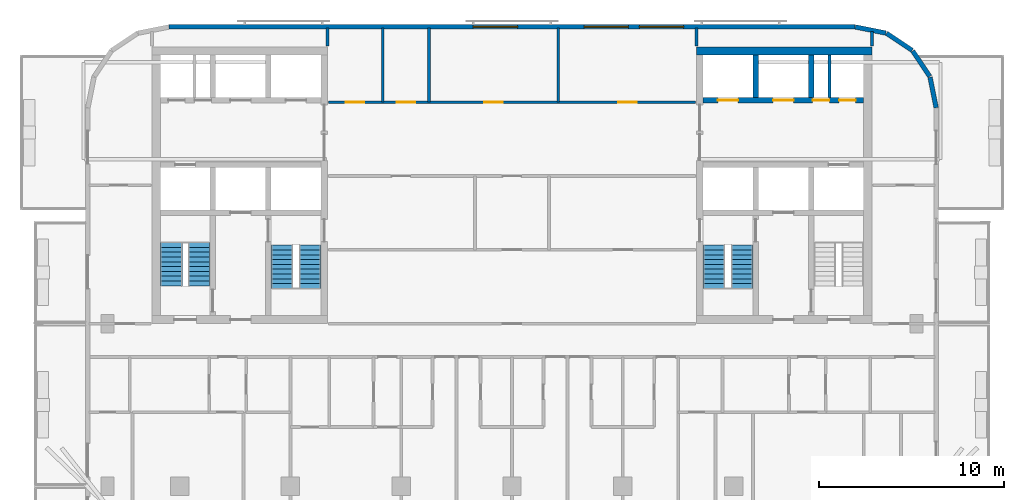
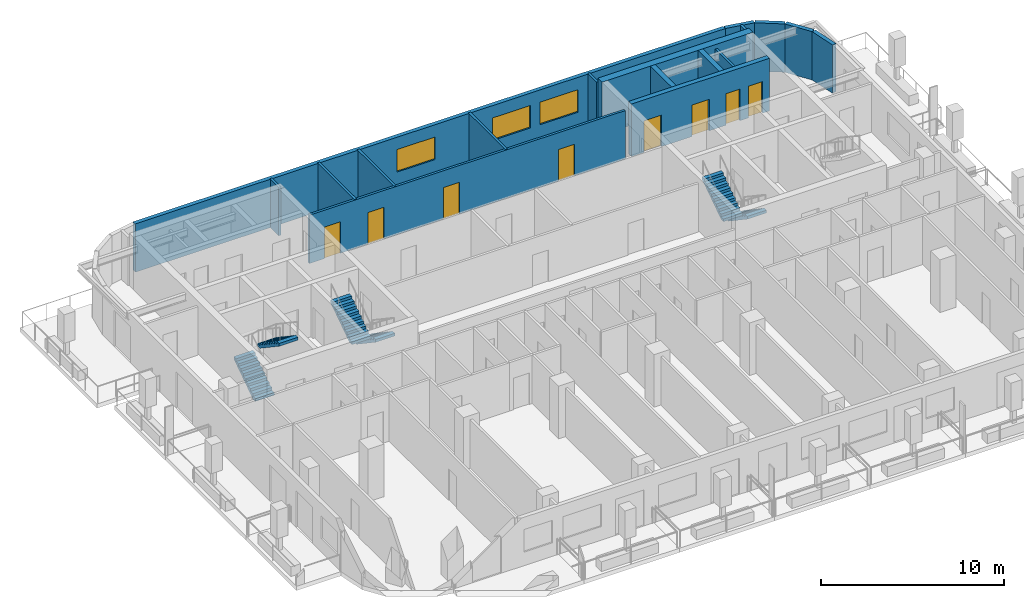
# One storey, part 7 of 11: 17 walls, 8 doors, 6 stair flights, 3 windows, 11 openings, 3 elements without a shape of their own.
"""IFC4 building model written with IfcOpenShell, lengths in metres."""

from ifc_helpers import new_model, si_unit, direction, frame, frame_2d, origin, place, context, subcontext, project, spatial, polyline, rectangle, outline, extrude, material, layer, layer_set, type_object, element, fill, aggregate, save


model = new_model("IFC4")

# Units and contexts
model_context = context("Model", 3, precision=1e-05, world=origin(), true_north=direction((0.0, 1.0)))
body_context = subcontext(model_context, "Body", "Model", "MODEL_VIEW")
ifc_project = project(units=[si_unit("LENGTHUNIT", "METRE"), si_unit("AREAUNIT", "SQUARE_METRE"), si_unit("VOLUMEUNIT", "CUBIC_METRE"), si_unit("PLANEANGLEUNIT", "RADIAN"), si_unit("MASSUNIT", "GRAM", prefix="KILO")], contexts=[model_context])

# Site, building, storey
site_placement = place(None, origin())
site = spatial("IfcSite", under=ifc_project, at=site_placement, CompositionType="ELEMENT")
building_placement = place(site_placement, origin())
building = spatial("IfcBuilding", under=site, at=building_placement, Name="Torana Hotel and Residences", CompositionType="ELEMENT")
storey_placement = place(building_placement, frame((0.0, 0.0, 252.60009765625)))
storey = spatial("IfcBuildingStorey", under=building, at=storey_placement, Name="L66", CompositionType="ELEMENT", Elevation=252.60009765625)

# Wall, openings, doors
ifc_material_1 = material(Name="Concrete C60/75", Category="concrete")
ifc_layer_1 = layer(ifc_material_1, 0.300048828125)
ifc_layer_set_1 = layer_set([ifc_layer_1], Name="CORE WALL 300 C60/75")
wall_type_1 = type_object("IfcWallType", Name="CORE WALL 300 C60/75", PredefinedType="SHEAR", material=ifc_layer_set_1)
wall_1_placement = place(storey_placement, frame((10.35009765625, -2.89990234375, 0.0), z_axis=(0.0, 0.0, 1.0), x_axis=(1.0, 0.0, 0.0)))
wall_1 = element("IfcWall", 1, at=wall_1_placement, inside=storey, type_object=wall_type_1, Name="Core wall E row-N", PredefinedType="SHEAR", context=body_context, shape_type="SweptSolid", body=[
    extrude(rectangle(XDim=8.699951171875, YDim=0.300048828125, at=frame_2d((4.35009765625, 0.0))), origin(), (0.0, 0.0, 1.0), 3.5),
])
opening_1_placement = place(wall_1_placement, frame((0.800048828125, 0.0, 0.0)))
opening_1 = element("IfcOpeningElement", 2, at=opening_1_placement, cuts=wall_1, Name="Opening LD", PredefinedType="OPENING", context=body_context, shape_type="SweptSolid", body=[
    extrude(rectangle(XDim=1.10009765625, YDim=2.10009765625, at=frame_2d((0.550048828125, 1.050048828125))), frame((0.0, 0.159912109375, 0.0), z_axis=(0.0, -1.0, 0.0), x_axis=(1.0, 0.0, 0.0)), (0.0, 0.0, 1.0), 0.320068359375),
])
opening_2_placement = place(wall_1_placement, frame((3.800048828125, 0.0, 0.0)))
opening_2 = element("IfcOpeningElement", 3, at=opening_2_placement, cuts=wall_1, Name="Opening LD", PredefinedType="OPENING", context=body_context, shape_type="SweptSolid", body=[
    extrude(rectangle(XDim=1.10009765625, YDim=2.10009765625, at=frame_2d((0.550048828125, 1.050048828125))), frame((0.0, 0.159912109375, 0.0), z_axis=(0.0, -1.0, 0.0), x_axis=(1.0, 0.0, 0.0)), (0.0, 0.0, 1.0), 0.320068359375),
])
opening_3_placement = place(wall_1_placement, frame((5.9375, 0.0, 0.0)))
opening_3 = element("IfcOpeningElement", 4, at=opening_3_placement, cuts=wall_1, Name="Opening L66-15", PredefinedType="OPENING", context=body_context, shape_type="SweptSolid", body=[
    extrude(rectangle(XDim=0.89990234375, YDim=2.10009765625, at=frame_2d((0.449951171875, 1.050048828125))), frame((0.0, 0.159912109375, 0.0), z_axis=(0.0, -1.0, 0.0), x_axis=(1.0, 0.0, 0.0)), (0.0, 0.0, 1.0), 0.320068359375),
])
opening_4_placement = place(wall_1_placement, frame((7.362548828125, 0.0, 0.0)))
opening_4 = element("IfcOpeningElement", 5, at=opening_4_placement, cuts=wall_1, Name="Opening L66-16", PredefinedType="OPENING", context=body_context, shape_type="SweptSolid", body=[
    extrude(rectangle(XDim=0.89990234375, YDim=2.10009765625, at=frame_2d((0.449951171875, 1.050048828125))), frame((0.0, 0.159912109375, 0.0), z_axis=(0.0, -1.0, 0.0), x_axis=(1.0, 0.0, 0.0)), (0.0, 0.0, 1.0), 0.320068359375),
])
ifc_material_2 = material(Name="Stainless steel 316", Category="steel")
door_type_1 = type_object("IfcDoorType", Name="LIFT LANDING DOOR LD 1100x2100", OperationType="DOUBLE_DOOR_SLIDING", PredefinedType="USERDEFINED", material=ifc_material_2)
door_1_placement = place(opening_1_placement, origin())
door_1 = element("IfcDoor", 6, at=door_1_placement, inside=storey, type_object=door_type_1, Name="Lift landing door H3 L66", ObjectType="LIFT LANDING DOOR", OperationType="DOUBLE_DOOR_SLIDING", OverallHeight=2.10009765625, OverallWidth=1.10009765625, PredefinedType="USERDEFINED", context=body_context, shape_type="SweptSolid", body=[
    extrude(rectangle(XDim=1.10009765625, YDim=2.10009765625, at=frame_2d((0.550048828125, 1.050048828125))), frame((0.0, 0.02490234375, 0.0), z_axis=(0.0, -1.0, 0.0), x_axis=(1.0, 0.0, 0.0)), (0.0, 0.0, 1.0), 0.050048828125),
])
fill(opening_1, door_1)
door_2_placement = place(opening_2_placement, origin())
door_2 = element("IfcDoor", 7, at=door_2_placement, inside=storey, type_object=door_type_1, Name="Lift landing door H4 L66", ObjectType="LIFT LANDING DOOR", OperationType="DOUBLE_DOOR_SLIDING", OverallHeight=2.10009765625, OverallWidth=1.10009765625, PredefinedType="USERDEFINED", context=body_context, shape_type="SweptSolid", body=[
    extrude(rectangle(XDim=1.10009765625, YDim=2.10009765625, at=frame_2d((0.550048828125, 1.050048828125))), frame((0.0, 0.02490234375, 0.0), z_axis=(0.0, -1.0, 0.0), x_axis=(1.0, 0.0, 0.0)), (0.0, 0.0, 1.0), 0.050048828125),
])
fill(opening_2, door_2)
ifc_material_3 = material(Name="Steel S235", Category="steel")
door_type_2 = type_object("IfcDoorType", Name="RISER ACCESS DOOR D5 900x2100", OperationType="SINGLE_SWING_LEFT", PredefinedType="DOOR", material=ifc_material_3)
door_3_placement = place(opening_3_placement, origin())
door_3 = element("IfcDoor", 8, at=door_3_placement, inside=storey, type_object=door_type_2, Name="N2A door L66", OperationType="SINGLE_SWING_RIGHT", OverallHeight=2.10009765625, OverallWidth=0.89990234375, PredefinedType="DOOR", context=body_context, shape_type="SweptSolid", body=[
    extrude(rectangle(XDim=0.89990234375, YDim=2.10009765625, at=frame_2d((0.449951171875, 1.050048828125))), frame((0.0, 0.02490234375, 0.0), z_axis=(0.0, -1.0, 0.0), x_axis=(1.0, 0.0, 0.0)), (0.0, 0.0, 1.0), 0.050048828125),
])
fill(opening_3, door_3)
door_4_placement = place(opening_4_placement, origin())
door_4 = element("IfcDoor", 9, at=door_4_placement, inside=storey, type_object=door_type_2, Name="N2B door L66", OperationType="SINGLE_SWING_RIGHT", OverallHeight=2.10009765625, OverallWidth=0.89990234375, PredefinedType="DOOR", context=body_context, shape_type="SweptSolid", body=[
    extrude(rectangle(XDim=0.89990234375, YDim=2.10009765625, at=frame_2d((0.449951171875, 1.050048828125))), frame((0.0, 0.02490234375, 0.0), z_axis=(0.0, -1.0, 0.0), x_axis=(1.0, 0.0, 0.0)), (0.0, 0.0, 1.0), 0.050048828125),
])
fill(opening_4, door_4)

# Walls
for number, where, z_axis, x_axis, name in (
    (10, (13.199951171875, -2.75, 0.0), (0.0, 0.0, 1.0), (0.0, 1.0, 0.0), "Core wall E x3.05-N"),
    (11, (16.199951171875, -2.75, 0.0), (0.0, 0.0, 1.0), (0.0, 1.0, 0.0), "Core wall E x6.05-N"),
):
    element("IfcWall", number, at=place(storey_placement, frame(where, z_axis=z_axis, x_axis=x_axis)), inside=storey, type_object=wall_type_1, Name=name, PredefinedType="SHEAR", context=body_context, shape_type="SweptSolid", body=[
        extrude(rectangle(XDim=2.300048828125, YDim=0.300048828125, at=frame_2d((1.14990234375, 0.0))), origin(), (0.0, 0.0, 1.0), 3.5),
    ])
ifc_material_4 = material(Name="Concrete C60/75", Category="concrete")
ifc_layer_2 = layer(ifc_material_4, 0.449951171875)
ifc_layer_set_2 = layer_set([ifc_layer_2], Name="CORE WALL 450 C60/75")
wall_type_2 = type_object("IfcWallType", Name="CORE WALL 450 C60/75", PredefinedType="SHEAR", material=ifc_layer_set_2)
wall_2_placement = place(storey_placement, frame((10.0, -0.22509765625, 0.0), z_axis=(0.0, 0.0, 1.0), x_axis=(1.0, 0.0, 0.0)))
element("IfcWall", 12, at=wall_2_placement, inside=storey, type_object=wall_type_2, Name="Core wall E rear", PredefinedType="SHEAR", context=body_context, shape_type="SweptSolid", body=[
    extrude(rectangle(XDim=9.5, YDim=0.449951171875, at=frame_2d((4.75, 0.0))), origin(), (0.0, 0.0, 1.0), 3.5),
])
ifc_material_5 = material(Name="Black aluminium composite panel", Category="aluminium")
ifc_layer_3 = layer(ifc_material_5, 0.00390625, Name="Cladding", Category="cladding")
ifc_material_6 = material(Name="Ventilated air cavity")
ifc_layer_4 = layer(ifc_material_6, 0.0400390625, Name="Ventilated cavity", Category="cavity")
ifc_material_7 = material(Name="Mineral wool insulation")
ifc_layer_5 = layer(ifc_material_7, 0.090087890625, Name="Insulation", Category="insulation")
ifc_material_8 = material(Name="Steel S280GD", Category="steel")
ifc_layer_6 = layer(ifc_material_8, 0.092041015625, Name="Steel stud frame", Category="structure")
ifc_material_9 = material(Name="Fire rated plasterboard")
ifc_layer_7 = layer(ifc_material_9, 0.011962890625, Name="Inner board", Category="finish")
ifc_layer_8 = layer(ifc_material_9, 0.011962890625, Name="Second board", Category="finish")
ifc_layer_set_3 = layer_set([ifc_layer_3, ifc_layer_4, ifc_layer_5, ifc_layer_6, ifc_layer_7, ifc_layer_8], Name="EW1 EXTERNAL WALL BLACK METAL CLAD 250")
wall_type_3 = type_object("IfcWallType", Name="EW1 EXTERNAL WALL BLACK METAL CLAD 250", PredefinedType="SOLIDWALL", material=ifc_layer_set_3)
wall_3_placement = place(storey_placement, frame((22.97265625, -3.30029296875, 0.0), z_axis=(0.0, 0.0, 1.0), x_axis=(-0.19513878023, 0.980775640221, 0.0)))
element("IfcWall", 13, at=wall_3_placement, inside=storey, type_object=wall_type_3, Name="External wall L66 e0.0", PredefinedType="SOLIDWALL", context=body_context, shape_type="SweptSolid", body=[
    extrude(rectangle(XDim=1.681396484375, YDim=0.25, at=frame_2d((0.8408203125, 0.0))), origin(), (0.0, 0.0, 1.0), 3.219970703125),
])
for number, where, z_axis, x_axis, name in (
    (14, (22.6259765625, -1.60595703125, 0.0), (0.0, 0.0, 1.0), (-0.55555029066, 0.831482937015, 0.0), "External wall L66 e0.1"),
    (15, (21.671142578125, -0.1943359375, 0.0), (0.0, 0.0, 1.0), (-0.831482937015, 0.55555029066, 0.0), "External wall L66 e0.2"),
):
    element("IfcWall", number, at=place(storey_placement, frame(where, z_axis=z_axis, x_axis=x_axis)), inside=storey, type_object=wall_type_3, Name=name, PredefinedType="SOLIDWALL", context=body_context, shape_type="SweptSolid", body=[
        extrude(rectangle(XDim=1.65625, YDim=0.25, at=frame_2d((0.828125, 0.0))), origin(), (0.0, 0.0, 1.0), 3.219970703125),
    ])
wall_4_placement = place(storey_placement, frame((20.248779296875, 0.74462890625, 0.0), z_axis=(0.0, 0.0, 1.0), x_axis=(-0.980797896849, 0.195026884138, 0.0)))
element("IfcWall", 16, at=wall_4_placement, inside=storey, type_object=wall_type_3, Name="External wall L66 e0.3", PredefinedType="SOLIDWALL", context=body_context, shape_type="SweptSolid", body=[
    extrude(rectangle(XDim=1.68115234375, YDim=0.25, at=frame_2d((0.840576171875, 0.0))), origin(), (0.0, 0.0, 1.0), 3.219970703125),
])

# Wall, openings, windows
ifc_material_10 = material(Name="Concrete C40/50 precast", Category="concrete")
ifc_layer_9 = layer(ifc_material_10, 0.10009765625, Name="Perforated block", Category="cladding")
ifc_material_11 = material(Name="Air cavity")
ifc_layer_10 = layer(ifc_material_11, 0.030029296875, Name="Cavity", Category="cavity")
ifc_material_12 = material(Name="Concrete C40/50", Category="concrete")
ifc_layer_11 = layer(ifc_material_12, 0.10009765625, Name="Wall", Category="structure")
ifc_material_13 = material(Name="Plaster and paint")
ifc_layer_12 = layer(ifc_material_13, 0.02001953125, Name="Inner finish", Category="finish")
ifc_layer_set_4 = layer_set([ifc_layer_9, ifc_layer_10, ifc_layer_11, ifc_layer_12], Name="EW2 PERFORATED BLOCK SCREEN WALL 250")
wall_type_4 = type_object("IfcWallType", Name="EW2 PERFORATED BLOCK SCREEN WALL 250", PredefinedType="SOLIDWALL", material=ifc_layer_set_4)
wall_5_placement = place(storey_placement, frame((18.575439453125, 1.074951171875, 0.0), z_axis=(0.0, 0.0, 1.0), x_axis=(-1.0, 0.0, 0.0)))
wall_5 = element("IfcWall", 17, at=wall_5_placement, inside=storey, type_object=wall_type_4, Name="External wall L66 e0.4", PredefinedType="SOLIDWALL", context=body_context, shape_type="SweptSolid", body=[
    extrude(rectangle(XDim=37.15087890625, YDim=0.25, at=frame_2d((18.575439453125, 0.0))), origin(), (0.0, 0.0, 1.0), 3.219970703125),
])
opening_5_placement = place(wall_5_placement, frame((9.275390625, 0.0, 0.89990234375)))
opening_5 = element("IfcOpeningElement", 18, at=opening_5_placement, cuts=wall_5, Name="Opening W3", PredefinedType="OPENING", context=body_context, shape_type="SweptSolid", body=[
    extrude(rectangle(XDim=2.39990234375, YDim=1.5, at=frame_2d((1.199951171875, 0.75))), frame((0.0, 0.135009765625, 0.0), z_axis=(0.0, -1.0, 0.0), x_axis=(1.0, 0.0, 0.0)), (0.0, 0.0, 1.0), 0.27001953125),
])
opening_6_placement = place(wall_5_placement, frame((12.275390625, 0.0, 0.89990234375)))
opening_6 = element("IfcOpeningElement", 19, at=opening_6_placement, cuts=wall_5, Name="Opening W3", PredefinedType="OPENING", context=body_context, shape_type="SweptSolid", body=[
    extrude(rectangle(XDim=2.39990234375, YDim=1.5, at=frame_2d((1.199951171875, 0.75))), frame((0.0, 0.135009765625, 0.0), z_axis=(0.0, -1.0, 0.0), x_axis=(1.0, 0.0, 0.0)), (0.0, 0.0, 1.0), 0.27001953125),
])
opening_7_placement = place(wall_5_placement, frame((18.275390625, 0.0, 0.89990234375)))
opening_7 = element("IfcOpeningElement", 20, at=opening_7_placement, cuts=wall_5, Name="Opening W3", PredefinedType="OPENING", context=body_context, shape_type="SweptSolid", body=[
    extrude(rectangle(XDim=2.39990234375, YDim=1.5, at=frame_2d((1.199951171875, 0.75))), frame((0.0, 0.135009765625, 0.0), z_axis=(0.0, -1.0, 0.0), x_axis=(1.0, 0.0, 0.0)), (0.0, 0.0, 1.0), 0.27001953125),
])
ifc_material_14 = material(Name="Dark glass in black aluminium frame", Category="aluminium")
window_type = type_object("IfcWindowType", Name="W3 RESIDENCE WINDOW 2400x1500", PartitioningType="SINGLE_PANEL", PredefinedType="WINDOW", material=ifc_material_14)
window_1_placement = place(opening_5_placement, origin())
window_1 = element("IfcWindow", 21, at=window_1_placement, inside=storey, type_object=window_type, Name="Window L66", OverallHeight=1.5, OverallWidth=2.39990234375, PartitioningType="SINGLE_PANEL", PredefinedType="WINDOW", context=body_context, shape_type="SweptSolid", body=[
    extrude(rectangle(XDim=2.39990234375, YDim=1.5, at=frame_2d((1.199951171875, 0.75))), frame((0.0, 0.030029296875, 0.0), z_axis=(0.0, -1.0, 0.0), x_axis=(1.0, 0.0, 0.0)), (0.0, 0.0, 1.0), 0.06005859375),
])
fill(opening_5, window_1)
window_2_placement = place(opening_6_placement, origin())
window_2 = element("IfcWindow", 22, at=window_2_placement, inside=storey, type_object=window_type, Name="Window L66", OverallHeight=1.5, OverallWidth=2.39990234375, PartitioningType="SINGLE_PANEL", PredefinedType="WINDOW", context=body_context, shape_type="SweptSolid", body=[
    extrude(rectangle(XDim=2.39990234375, YDim=1.5, at=frame_2d((1.199951171875, 0.75))), frame((0.0, 0.030029296875, 0.0), z_axis=(0.0, -1.0, 0.0), x_axis=(1.0, 0.0, 0.0)), (0.0, 0.0, 1.0), 0.06005859375),
])
fill(opening_6, window_2)
window_3_placement = place(opening_7_placement, origin())
window_3 = element("IfcWindow", 23, at=window_3_placement, inside=storey, type_object=window_type, Name="Window L66", OverallHeight=1.5, OverallWidth=2.39990234375, PartitioningType="SINGLE_PANEL", PredefinedType="WINDOW", context=body_context, shape_type="SweptSolid", body=[
    extrude(rectangle(XDim=2.39990234375, YDim=1.5, at=frame_2d((1.199951171875, 0.75))), frame((0.0, 0.030029296875, 0.0), z_axis=(0.0, -1.0, 0.0), x_axis=(1.0, 0.0, 0.0)), (0.0, 0.0, 1.0), 0.06005859375),
])
fill(opening_7, window_3)

# Wall
ifc_material_15 = material(Name="Gypsum plaster")
ifc_layer_13 = layer(ifc_material_15, 0.014892578125, Name="Plaster", Category="finish")
ifc_material_16 = material(Name="Concrete blockwork", Category="masonry")
ifc_layer_14 = layer(ifc_material_16, 0.1201171875, Name="Blockwork", Category="structure")
ifc_layer_15 = layer(ifc_material_15, 0.014892578125, Name="Plaster", Category="finish")
ifc_layer_set_5 = layer_set([ifc_layer_13, ifc_layer_14, ifc_layer_15], Name="FIRE PARTITION 150 BLOCKWORK")
wall_type_5 = type_object("IfcWallType", Name="FIRE PARTITION 150 BLOCKWORK", PredefinedType="PARTITIONING", material=ifc_layer_set_5)
wall_6_placement = place(storey_placement, frame((17.199951171875, -2.75, 0.0), z_axis=(0.0, 0.0, 1.0), x_axis=(0.0, 1.0, 0.0)))
element("IfcWall", 24, at=wall_6_placement, inside=storey, type_object=wall_type_5, Name="Core partition L66", PredefinedType="PARTITIONING", context=body_context, shape_type="SweptSolid", body=[
    extrude(rectangle(XDim=2.300048828125, YDim=0.14990234375, at=frame_2d((1.14990234375, 0.0))), origin(), (0.0, 0.0, 1.0), 3.199951171875),
])

# Wall, openings, doors
wall_7_placement = place(storey_placement, frame((-9.949951171875, -3.0, 0.0), z_axis=(0.0, 0.0, 1.0), x_axis=(1.0, 0.0, 0.0)))
wall_7 = element("IfcWall", 25, at=wall_7_placement, inside=storey, type_object=wall_type_5, Name="Partition L66", PredefinedType="PARTITIONING", context=body_context, shape_type="SweptSolid", body=[
    extrude(rectangle(XDim=19.89990234375, YDim=0.14990234375, at=frame_2d((9.949951171875, 0.0))), origin(), (0.0, 0.0, 1.0), 3.219970703125),
])
opening_8_placement = place(wall_7_placement, frame((0.949951171875, 0.0, 0.0)))
opening_8 = element("IfcOpeningElement", 26, at=opening_8_placement, cuts=wall_7, Name="Opening L66-35", PredefinedType="OPENING", context=body_context, shape_type="SweptSolid", body=[
    extrude(rectangle(XDim=1.0, YDim=2.10009765625, at=frame_2d((0.5, 1.050048828125))), frame((0.0, 0.0849609375, 0.0), z_axis=(0.0, -1.0, 0.0), x_axis=(1.0, 0.0, 0.0)), (0.0, 0.0, 1.0), 0.169921875),
])
opening_9_placement = place(wall_7_placement, frame((3.699951171875, 0.0, 0.0)))
opening_9 = element("IfcOpeningElement", 27, at=opening_9_placement, cuts=wall_7, Name="Opening L66-36", PredefinedType="OPENING", context=body_context, shape_type="SweptSolid", body=[
    extrude(rectangle(XDim=1.0, YDim=2.10009765625, at=frame_2d((0.5, 1.050048828125))), frame((0.0, 0.0849609375, 0.0), z_axis=(0.0, -1.0, 0.0), x_axis=(1.0, 0.0, 0.0)), (0.0, 0.0, 1.0), 0.169921875),
])
opening_10_placement = place(wall_7_placement, frame((8.449951171875, 0.0, 0.0)))
opening_10 = element("IfcOpeningElement", 28, at=opening_10_placement, cuts=wall_7, Name="Opening L66-37", PredefinedType="OPENING", context=body_context, shape_type="SweptSolid", body=[
    extrude(rectangle(XDim=1.0, YDim=2.10009765625, at=frame_2d((0.5, 1.050048828125))), frame((0.0, 0.0849609375, 0.0), z_axis=(0.0, -1.0, 0.0), x_axis=(1.0, 0.0, 0.0)), (0.0, 0.0, 1.0), 0.169921875),
])
opening_11_placement = place(wall_7_placement, frame((15.699951171875, 0.0, 0.0)))
opening_11 = element("IfcOpeningElement", 29, at=opening_11_placement, cuts=wall_7, Name="Opening L66-38", PredefinedType="OPENING", context=body_context, shape_type="SweptSolid", body=[
    extrude(rectangle(XDim=1.0, YDim=2.10009765625, at=frame_2d((0.5, 1.050048828125))), frame((0.0, 0.0849609375, 0.0), z_axis=(0.0, -1.0, 0.0), x_axis=(1.0, 0.0, 0.0)), (0.0, 0.0, 1.0), 0.169921875),
])
ifc_material_17 = material(Name="Steel S235", Category="steel")
door_type_3 = type_object("IfcDoorType", Name="ENTRY FIRE DOOR D6 1000x2100", OperationType="SINGLE_SWING_LEFT", PredefinedType="DOOR", material=ifc_material_17)
door_5_placement = place(opening_8_placement, origin())
door_5 = element("IfcDoor", 30, at=door_5_placement, inside=storey, type_object=door_type_3, Name="Door L66", OperationType="SINGLE_SWING_RIGHT", OverallHeight=2.10009765625, OverallWidth=1.0, PredefinedType="DOOR", context=body_context, shape_type="SweptSolid", body=[
    extrude(rectangle(XDim=1.0, YDim=2.10009765625, at=frame_2d((0.5, 1.050048828125))), frame((0.0, 0.02490234375, 0.0), z_axis=(0.0, -1.0, 0.0), x_axis=(1.0, 0.0, 0.0)), (0.0, 0.0, 1.0), 0.050048828125),
])
fill(opening_8, door_5)
door_6_placement = place(opening_9_placement, origin())
door_6 = element("IfcDoor", 31, at=door_6_placement, inside=storey, type_object=door_type_3, Name="Door L66", OperationType="SINGLE_SWING_RIGHT", OverallHeight=2.10009765625, OverallWidth=1.0, PredefinedType="DOOR", context=body_context, shape_type="SweptSolid", body=[
    extrude(rectangle(XDim=1.0, YDim=2.10009765625, at=frame_2d((0.5, 1.050048828125))), frame((0.0, 0.02490234375, 0.0), z_axis=(0.0, -1.0, 0.0), x_axis=(1.0, 0.0, 0.0)), (0.0, 0.0, 1.0), 0.050048828125),
])
fill(opening_9, door_6)
door_7_placement = place(opening_10_placement, origin())
door_7 = element("IfcDoor", 32, at=door_7_placement, inside=storey, type_object=door_type_3, Name="Door L66", OperationType="SINGLE_SWING_RIGHT", OverallHeight=2.10009765625, OverallWidth=1.0, PredefinedType="DOOR", context=body_context, shape_type="SweptSolid", body=[
    extrude(rectangle(XDim=1.0, YDim=2.10009765625, at=frame_2d((0.5, 1.050048828125))), frame((0.0, 0.02490234375, 0.0), z_axis=(0.0, -1.0, 0.0), x_axis=(1.0, 0.0, 0.0)), (0.0, 0.0, 1.0), 0.050048828125),
])
fill(opening_10, door_7)
door_8_placement = place(opening_11_placement, origin())
door_8 = element("IfcDoor", 33, at=door_8_placement, inside=storey, type_object=door_type_3, Name="Door L66", OperationType="SINGLE_SWING_RIGHT", OverallHeight=2.10009765625, OverallWidth=1.0, PredefinedType="DOOR", context=body_context, shape_type="SweptSolid", body=[
    extrude(rectangle(XDim=1.0, YDim=2.10009765625, at=frame_2d((0.5, 1.050048828125))), frame((0.0, 0.02490234375, 0.0), z_axis=(0.0, -1.0, 0.0), x_axis=(1.0, 0.0, 0.0)), (0.0, 0.0, 1.0), 0.050048828125),
])
fill(opening_11, door_8)

# Walls
ifc_material_18 = material(Name="Gypsum plasterboard")
ifc_layer_16 = layer(ifc_material_18, 0.012451171875, Name="Plasterboard", Category="finish")
ifc_layer_17 = layer(ifc_material_18, 0.012451171875, Name="Plasterboard", Category="finish")
ifc_layer_18 = layer(ifc_material_8, 0.10009765625, Name="Steel studs with mineral wool", Category="insulation")
ifc_layer_19 = layer(ifc_material_18, 0.012451171875, Name="Plasterboard", Category="finish")
ifc_layer_20 = layer(ifc_material_18, 0.012451171875, Name="Plasterboard", Category="finish")
ifc_layer_set_6 = layer_set([ifc_layer_16, ifc_layer_17, ifc_layer_18, ifc_layer_19, ifc_layer_20], Name="PARTITION 150 PLASTERBOARD")
wall_type_6 = type_object("IfcWallType", Name="PARTITION 150 PLASTERBOARD", PredefinedType="PARTITIONING", material=ifc_layer_set_6)
wall_8_placement = place(storey_placement, frame((19.5, 0.050048828125, 0.0), z_axis=(0.0, 0.0, 1.0), x_axis=(0.0, 1.0, 0.0)))
element("IfcWall", 34, at=wall_8_placement, inside=storey, type_object=wall_type_6, Name="Partition L66", PredefinedType="PARTITIONING", context=body_context, shape_type="SweptSolid", body=[
    extrude(rectangle(XDim=0.787353515625, YDim=0.14990234375, at=frame_2d((0.3935546875, 0.0))), origin(), (0.0, 0.0, 1.0), 3.219970703125),
])
wall_9_placement = place(storey_placement, frame((10.0, 0.050048828125, 0.0), z_axis=(0.0, 0.0, 1.0), x_axis=(0.0, 1.0, 0.0)))
element("IfcWall", 35, at=wall_9_placement, inside=storey, type_object=wall_type_6, Name="Partition L66", PredefinedType="PARTITIONING", context=body_context, shape_type="SweptSolid", body=[
    extrude(rectangle(XDim=0.969970703125, YDim=0.14990234375, at=frame_2d((0.48486328125, 0.0))), origin(), (0.0, 0.0, 1.0), 3.219970703125),
])
wall_10_placement = place(storey_placement, frame((2.5, -3.0, 0.0), z_axis=(0.0, 0.0, 1.0), x_axis=(0.0, 1.0, 0.0)))
element("IfcWall", 36, at=wall_10_placement, inside=storey, type_object=wall_type_6, Name="Partition L66", PredefinedType="PARTITIONING", context=body_context, shape_type="SweptSolid", body=[
    extrude(rectangle(XDim=4.02001953125, YDim=0.14990234375, at=frame_2d((2.010009765625, 0.0))), origin(), (0.0, 0.0, 1.0), 3.219970703125),
])
ifc_material_19 = material(Name="Ceramic tile on adhesive")
ifc_layer_21 = layer(ifc_material_19, 0.010009765625, Name="Wall tile", Category="finish")
ifc_material_20 = material(Name="Cement render")
ifc_layer_22 = layer(ifc_material_20, 0.010009765625, Name="Render", Category="finish")
ifc_layer_23 = layer(ifc_material_16, 0.110107421875, Name="Blockwork", Category="structure")
ifc_layer_24 = layer(ifc_material_20, 0.010009765625, Name="Render", Category="finish")
ifc_layer_25 = layer(ifc_material_19, 0.010009765625, Name="Wall tile", Category="finish")
ifc_layer_set_7 = layer_set([ifc_layer_21, ifc_layer_22, ifc_layer_23, ifc_layer_24, ifc_layer_25], Name="WC PARTITION 150")
wall_type_7 = type_object("IfcWallType", Name="WC PARTITION 150", PredefinedType="PLUMBINGWALL", material=ifc_layer_set_7)
for number, where, z_axis, x_axis, name in (
    (37, (-4.5, -3.0, 0.0), (0.0, 0.0, 1.0), (0.0, 1.0, 0.0), "Partition L66"),
    (38, (-7.0, -3.0, 0.0), (0.0, 0.0, 1.0), (0.0, 1.0, 0.0), "Partition L66"),
):
    element("IfcWall", number, at=place(storey_placement, frame(where, z_axis=z_axis, x_axis=x_axis)), inside=storey, type_object=wall_type_7, Name=name, PredefinedType="PLUMBINGWALL", context=body_context, shape_type="SweptSolid", body=[
        extrude(rectangle(XDim=4.02001953125, YDim=0.14990234375, at=frame_2d((2.010009765625, 0.0))), origin(), (0.0, 0.0, 1.0), 3.219970703125),
    ])
wall_11_placement = place(storey_placement, frame((-10.0, 0.050048828125, 0.0), z_axis=(0.0, 0.0, 1.0), x_axis=(0.0, 1.0, 0.0)))
element("IfcWall", 39, at=wall_11_placement, inside=storey, type_object=wall_type_7, Name="Partition L66", PredefinedType="PLUMBINGWALL", context=body_context, shape_type="SweptSolid", body=[
    extrude(rectangle(XDim=0.969970703125, YDim=0.14990234375, at=frame_2d((0.48486328125, 0.0))), origin(), (0.0, 0.0, 1.0), 3.219970703125),
])

# Stair, stair flights
ifc_material_21 = material(Name="Concrete C40/50 precast", Category="concrete")
stair_type_1 = type_object("IfcStairType", Name="STAIR ST1 HALF TURN 1200", PredefinedType="HALF_TURN_STAIR", material=ifc_material_21)
stair_1_placement = place(storey_placement, origin())
stair_1 = element("IfcStair", 40, at=stair_1_placement, inside=storey, type_object=stair_type_1, Name="Stair ST1 L66", PredefinedType="HALF_TURN_STAIR")
ifc_material_22 = material(Name="Concrete C40/50 precast", Category="concrete")
stair_flight_type = type_object("IfcStairFlightType", Name="STAIR FLIGHT 1200 PRECAST", PredefinedType="STRAIGHT", material=ifc_material_22)
stair_flight_1_placement = place(storey_placement, frame((-10.949951171875, -10.75, 0.0), z_axis=(0.0, 0.0, 1.0), x_axis=(0.0, -1.0, 0.0)))
stair_flight_1 = element("IfcStairFlight", 41, at=stair_flight_1_placement, type_object=stair_flight_type, Name="ST1 flight 1", NumberOfRisers=10, NumberOfTreads=9, PredefinedType="STRAIGHT", RiserHeight=0.175, TreadLength=0.26, context=body_context, shape_type="SweptSolid", body=[
    extrude(outline(polyline([(0.0, 0.0), (0.0, 0.175048828125), (0.260009765625, 0.175048828125), (0.260009765625, 0.35009765625), (0.52001953125, 0.35009765625), (0.52001953125, 0.52490234375), (0.780029296875, 0.52490234375), (0.780029296875, 0.699951171875), (1.0400390625, 0.699951171875), (1.0400390625, 0.875), (1.300048828125, 0.875), (1.300048828125, 1.050048828125), (1.56005859375, 1.050048828125), (1.56005859375, 1.22509765625), (1.820068359375, 1.22509765625), (1.820068359375, 1.39990234375), (2.080078125, 1.39990234375), (2.080078125, 1.574951171875), (2.340087890625, 1.574951171875), (2.340087890625, 1.75), (2.340087890625, 1.394287109375), (0.2685546875, 0.0), (0.0, 0.0)])), frame((0.0, 0.60009765625, 0.0), z_axis=(0.0, -1.0, 0.0), x_axis=(1.0, 0.0, 0.0)), (0.0, 0.0, 1.0), 1.199951171875),
])
stair_flight_2_placement = place(storey_placement, frame((-12.449951171875, -13.090087890625, 1.75), z_axis=(0.0, 0.0, 1.0), x_axis=(0.0, 1.0, 0.0)))
stair_flight_2 = element("IfcStairFlight", 42, at=stair_flight_2_placement, type_object=stair_flight_type, Name="ST1 flight 2", NumberOfRisers=10, NumberOfTreads=9, PredefinedType="STRAIGHT", RiserHeight=0.175, TreadLength=0.26, context=body_context, shape_type="SweptSolid", body=[
    extrude(outline(polyline([(0.0, 0.0), (0.0, 0.175048828125), (0.260009765625, 0.175048828125), (0.260009765625, 0.35009765625), (0.52001953125, 0.35009765625), (0.52001953125, 0.52490234375), (0.780029296875, 0.52490234375), (0.780029296875, 0.699951171875), (1.0400390625, 0.699951171875), (1.0400390625, 0.875), (1.300048828125, 0.875), (1.300048828125, 1.050048828125), (1.56005859375, 1.050048828125), (1.56005859375, 1.22509765625), (1.820068359375, 1.22509765625), (1.820068359375, 1.39990234375), (2.080078125, 1.39990234375), (2.080078125, 1.574951171875), (2.340087890625, 1.574951171875), (2.340087890625, 1.75), (2.340087890625, 1.394287109375), (0.2685546875, 0.0), (0.0, 0.0)])), frame((0.0, 0.60009765625, 0.0), z_axis=(0.0, -1.0, 0.0), x_axis=(1.0, 0.0, 0.0)), (0.0, 0.0, 1.0), 1.199951171875),
])
aggregate(stair_1, [stair_flight_1, stair_flight_2])

ifc_material_23 = material(Name="Concrete C40/50 precast", Category="concrete")
stair_type_2 = type_object("IfcStairType", Name="STAIR ST2 HALF TURN 1200", PredefinedType="HALF_TURN_STAIR", material=ifc_material_23)
stair_2_placement = place(storey_placement, origin())
stair_2 = element("IfcStair", 43, at=stair_2_placement, inside=storey, type_object=stair_type_2, Name="Stair ST2 L66", PredefinedType="HALF_TURN_STAIR")
stair_flight_3_placement = place(storey_placement, frame((-18.449951171875, -12.949951171875, 0.0), z_axis=(0.0, 0.0, 1.0), x_axis=(0.0, 1.0, 0.0)))
stair_flight_3 = element("IfcStairFlight", 44, at=stair_flight_3_placement, type_object=stair_flight_type, Name="ST2 flight 1", NumberOfRisers=10, NumberOfTreads=9, PredefinedType="STRAIGHT", RiserHeight=0.175, TreadLength=0.26, context=body_context, shape_type="SweptSolid", body=[
    extrude(outline(polyline([(0.0, 0.0), (0.0, 0.175048828125), (0.260009765625, 0.175048828125), (0.260009765625, 0.35009765625), (0.52001953125, 0.35009765625), (0.52001953125, 0.52490234375), (0.780029296875, 0.52490234375), (0.780029296875, 0.699951171875), (1.0400390625, 0.699951171875), (1.0400390625, 0.875), (1.300048828125, 0.875), (1.300048828125, 1.050048828125), (1.56005859375, 1.050048828125), (1.56005859375, 1.22509765625), (1.820068359375, 1.22509765625), (1.820068359375, 1.39990234375), (2.080078125, 1.39990234375), (2.080078125, 1.574951171875), (2.340087890625, 1.574951171875), (2.340087890625, 1.75), (2.340087890625, 1.394287109375), (0.2685546875, 0.0), (0.0, 0.0)])), frame((0.0, 0.60009765625, 0.0), z_axis=(0.0, -1.0, 0.0), x_axis=(1.0, 0.0, 0.0)), (0.0, 0.0, 1.0), 1.199951171875),
])
stair_flight_4_placement = place(storey_placement, frame((-16.949951171875, -10.610107421875, 1.75), z_axis=(0.0, 0.0, 1.0), x_axis=(0.0, -1.0, 0.0)))
stair_flight_4 = element("IfcStairFlight", 45, at=stair_flight_4_placement, type_object=stair_flight_type, Name="ST2 flight 2", NumberOfRisers=10, NumberOfTreads=9, PredefinedType="STRAIGHT", RiserHeight=0.175, TreadLength=0.26, context=body_context, shape_type="SweptSolid", body=[
    extrude(outline(polyline([(0.0, 0.0), (0.0, 0.175048828125), (0.260009765625, 0.175048828125), (0.260009765625, 0.35009765625), (0.52001953125, 0.35009765625), (0.52001953125, 0.52490234375), (0.780029296875, 0.52490234375), (0.780029296875, 0.699951171875), (1.0400390625, 0.699951171875), (1.0400390625, 0.875), (1.300048828125, 0.875), (1.300048828125, 1.050048828125), (1.56005859375, 1.050048828125), (1.56005859375, 1.22509765625), (1.820068359375, 1.22509765625), (1.820068359375, 1.39990234375), (2.080078125, 1.39990234375), (2.080078125, 1.574951171875), (2.340087890625, 1.574951171875), (2.340087890625, 1.75), (2.340087890625, 1.394287109375), (0.2685546875, 0.0), (0.0, 0.0)])), frame((0.0, 0.60009765625, 0.0), z_axis=(0.0, -1.0, 0.0), x_axis=(1.0, 0.0, 0.0)), (0.0, 0.0, 1.0), 1.199951171875),
])
aggregate(stair_2, [stair_flight_3, stair_flight_4])

ifc_material_24 = material(Name="Concrete C40/50 precast", Category="concrete")
stair_type_3 = type_object("IfcStairType", Name="STAIR ST3 HALF TURN 1200", PredefinedType="HALF_TURN_STAIR", material=ifc_material_24)
stair_3_placement = place(storey_placement, origin())
stair_3 = element("IfcStair", 46, at=stair_3_placement, inside=storey, type_object=stair_type_3, Name="Stair ST3 L66", PredefinedType="HALF_TURN_STAIR")
stair_flight_5_placement = place(storey_placement, frame((12.449951171875, -10.75, 0.0), z_axis=(0.0, 0.0, 1.0), x_axis=(0.0, -1.0, 0.0)))
stair_flight_5 = element("IfcStairFlight", 47, at=stair_flight_5_placement, type_object=stair_flight_type, Name="ST3 flight 1", NumberOfRisers=10, NumberOfTreads=9, PredefinedType="STRAIGHT", RiserHeight=0.175, TreadLength=0.26, context=body_context, shape_type="SweptSolid", body=[
    extrude(outline(polyline([(0.0, 0.0), (0.0, 0.175048828125), (0.260009765625, 0.175048828125), (0.260009765625, 0.35009765625), (0.52001953125, 0.35009765625), (0.52001953125, 0.52490234375), (0.780029296875, 0.52490234375), (0.780029296875, 0.699951171875), (1.0400390625, 0.699951171875), (1.0400390625, 0.875), (1.300048828125, 0.875), (1.300048828125, 1.050048828125), (1.56005859375, 1.050048828125), (1.56005859375, 1.22509765625), (1.820068359375, 1.22509765625), (1.820068359375, 1.39990234375), (2.080078125, 1.39990234375), (2.080078125, 1.574951171875), (2.340087890625, 1.574951171875), (2.340087890625, 1.75), (2.340087890625, 1.394287109375), (0.2685546875, 0.0), (0.0, 0.0)])), frame((0.0, 0.60009765625, 0.0), z_axis=(0.0, -1.0, 0.0), x_axis=(1.0, 0.0, 0.0)), (0.0, 0.0, 1.0), 1.199951171875),
])
stair_flight_6_placement = place(storey_placement, frame((10.949951171875, -13.090087890625, 1.75), z_axis=(0.0, 0.0, 1.0), x_axis=(0.0, 1.0, 0.0)))
stair_flight_6 = element("IfcStairFlight", 48, at=stair_flight_6_placement, type_object=stair_flight_type, Name="ST3 flight 2", NumberOfRisers=10, NumberOfTreads=9, PredefinedType="STRAIGHT", RiserHeight=0.175, TreadLength=0.26, context=body_context, shape_type="SweptSolid", body=[
    extrude(outline(polyline([(0.0, 0.0), (0.0, 0.175048828125), (0.260009765625, 0.175048828125), (0.260009765625, 0.35009765625), (0.52001953125, 0.35009765625), (0.52001953125, 0.52490234375), (0.780029296875, 0.52490234375), (0.780029296875, 0.699951171875), (1.0400390625, 0.699951171875), (1.0400390625, 0.875), (1.300048828125, 0.875), (1.300048828125, 1.050048828125), (1.56005859375, 1.050048828125), (1.56005859375, 1.22509765625), (1.820068359375, 1.22509765625), (1.820068359375, 1.39990234375), (2.080078125, 1.39990234375), (2.080078125, 1.574951171875), (2.340087890625, 1.574951171875), (2.340087890625, 1.75), (2.340087890625, 1.394287109375), (0.2685546875, 0.0), (0.0, 0.0)])), frame((0.0, 0.60009765625, 0.0), z_axis=(0.0, -1.0, 0.0), x_axis=(1.0, 0.0, 0.0)), (0.0, 0.0, 1.0), 1.199951171875),
])
aggregate(stair_3, [stair_flight_5, stair_flight_6])

save(model, "model.ifc")
